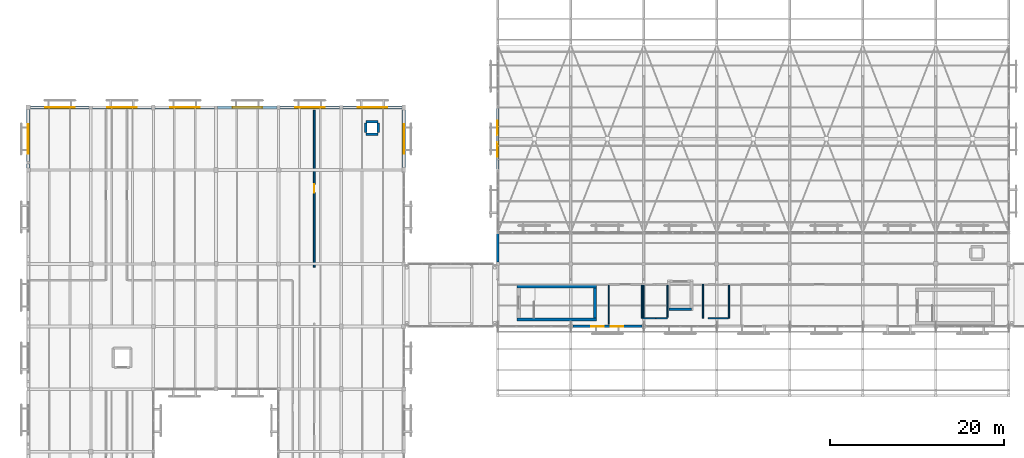
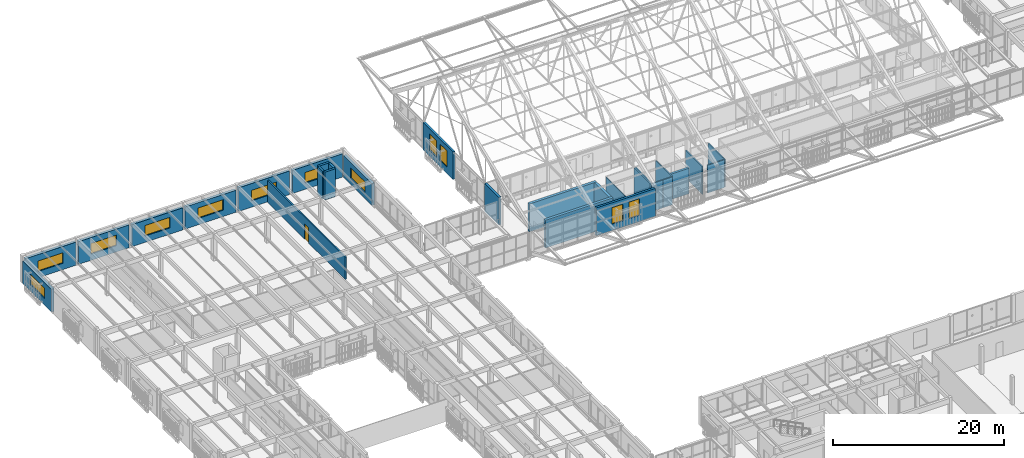
# One storey, part 181 of 217: 29 walls, 12 windows, 1 door, 13 openings.
"""IFC4 building model written with IfcOpenShell, lengths in metres."""

import ifcopenshell
import ifcopenshell.guid

model = None  # the IFC model being written
_history = None  # IfcOwnerHistory: only IFC2X3 demands one
_inside = {}  # id of a spatial element -> (the spatial element, [elements in it])
_under = {}  # id of a project, library or spatial element -> (it, [spatial elements below it])
_declared = {}  # id of a project -> (the project, [libraries it declares])
_typed = {}  # id of a type object -> (the type object, [elements of that type])
_made_of = {}  # id of a material, layer set ... -> (it, [elements and type objects made of it])


def new_model(schema):
    """Start an empty IFC model of exactly this schema.

    Asked for "IFC4X3", IfcOpenShell would pick the latest addendum, in which some entities
    have other attributes; the version numbers below select the first issue.
    IFC2X3 requires an IfcOwnerHistory on every rooted entity: one is made here for all.
    """
    global model, _history
    if schema == "IFC4X3":
        model = ifcopenshell.file(schema_version=(4, 3, 0, 0))
    else:
        model = ifcopenshell.file(schema=schema)
    _inside.clear()
    _under.clear()
    _declared.clear()
    _typed.clear()
    _made_of.clear()
    _history = None
    if model.schema == "IFC2X3":
        org = make("IfcOrganization", Name="unknown")
        user = make(
            "IfcPersonAndOrganization",
            ThePerson=make("IfcPerson", FamilyName="unknown"),
            TheOrganization=org,
        )
        app = make(
            "IfcApplication",
            ApplicationDeveloper=org,
            Version="unknown",
            ApplicationFullName="unknown",
            ApplicationIdentifier="unknown",
        )
        _history = make(
            "IfcOwnerHistory",
            OwningUser=user,
            OwningApplication=app,
            ChangeAction="ADDED",
            CreationDate=0,
        )
    return model


def make(cls, **values):
    """One entity of the class cls with the attributes given. An attribute that is None is left unset."""
    return model.create_entity(
        cls, **{name: value for name, value in values.items() if value is not None}
    )


def rooted(cls, **values):
    """An entity with a GlobalId (a new one), such as an element, a storey or a relation."""
    return make(cls, GlobalId=ifcopenshell.guid.new(), OwnerHistory=_history, **values)


def si_unit(unit_type, name, prefix=None):
    """IfcSIUnit, for example si_unit("LENGTHUNIT", "METRE", prefix="MILLI")."""
    return make("IfcSIUnit", UnitType=unit_type, Prefix=prefix, Name=name)


def assignment(units):
    """IfcUnitAssignment: the units of a project."""
    return None if units is None else make("IfcUnitAssignment", Units=units)


def point(xyz):
    """IfcCartesianPoint."""
    return None if xyz is None else make("IfcCartesianPoint", Coordinates=xyz)


def direction(xyz):
    """IfcDirection."""
    return None if xyz is None else make("IfcDirection", DirectionRatios=xyz)


def frame(location, z_axis=None, x_axis=None):
    """IfcAxis2Placement3D, a coordinate frame: its origin and axes. An axis left out is left unset."""
    return make(
        "IfcAxis2Placement3D",
        Location=point(location),
        Axis=direction(z_axis),
        RefDirection=direction(x_axis),
    )


def frame_2d(location, x_axis=None):
    """IfcAxis2Placement2D, a coordinate frame in the plane: its origin and x axis."""
    return make(
        "IfcAxis2Placement2D", Location=point(location), RefDirection=direction(x_axis)
    )


def origin():
    """The frame at (0, 0, 0) with its axes left unset."""
    return frame((0.0, 0.0, 0.0))


def place(relative_to, where):
    """IfcLocalPlacement: puts the frame where relative to a parent placement (None: the world)."""
    return make(
        "IfcLocalPlacement", PlacementRelTo=relative_to, RelativePlacement=where
    )


def context(
    kind, dimensions, precision=None, world=None, true_north=None, identifier=None
):
    """IfcGeometricRepresentationContext, for example the 3D "Model" context."""
    return make(
        "IfcGeometricRepresentationContext",
        ContextIdentifier=identifier,
        ContextType=kind,
        CoordinateSpaceDimension=dimensions,
        Precision=precision,
        WorldCoordinateSystem=world,
        TrueNorth=true_north,
    )


def subcontext(parent, identifier, kind, view, scale=None):
    """IfcGeometricRepresentationSubContext, for example "Body" below "Model"."""
    return make(
        "IfcGeometricRepresentationSubContext",
        ContextIdentifier=identifier,
        ContextType=kind,
        ParentContext=parent,
        TargetScale=scale,
        TargetView=view,
    )


def project(units=None, contexts=None):
    """IfcProject with its units and contexts."""
    return rooted(
        "IfcProject",
        Name="project",
        RepresentationContexts=contexts,
        UnitsInContext=assignment(units),
    )


def spatial(cls, under=None, at=None, **own):
    """A site, building, storey or space (cls), placed at a placement, below another one or the project."""
    s = rooted(cls, ObjectPlacement=at, **own)
    if under is not None:
        _under.setdefault(under.id(), (under, []))[1].append(s)
    return s


def profile(cls, at=None, kind="AREA", **sizes):
    """A parametric profile (cls). Its sizes go by their IFC names, for example OverallWidth=200.0."""
    return make(cls, ProfileType=kind, Position=at, **sizes)


def rectangle(**sizes):
    """IfcRectangleProfileDef."""
    return profile("IfcRectangleProfileDef", **sizes)


def extrude(swept, where, along, depth):
    """IfcExtrudedAreaSolid: the profile swept, set in the frame where, extruded along a direction by depth."""
    return make(
        "IfcExtrudedAreaSolid",
        SweptArea=swept,
        Position=where,
        ExtrudedDirection=direction(along),
        Depth=depth,
    )


def shape(context_of_items, identifier, shape_type, items):
    """IfcShapeRepresentation: the items that make up one representation, for example the "Body"."""
    return make(
        "IfcShapeRepresentation",
        ContextOfItems=context_of_items,
        RepresentationIdentifier=identifier,
        RepresentationType=shape_type,
        Items=items,
    )


def material(Name=None, Category=None):
    """IfcMaterial."""
    return make("IfcMaterial", Name=Name, Category=Category)


def layer(
    of_material, thickness, ventilated=None, Name=None, Category=None, Priority=None
):
    """IfcMaterialLayer: one layer of a wall or slab, of a material (None: an air gap)."""
    return make(
        "IfcMaterialLayer",
        Material=of_material,
        LayerThickness=thickness,
        IsVentilated=ventilated,
        Name=Name,
        Category=Category,
        Priority=Priority,
    )


def layer_set(layers, Name=None):
    """IfcMaterialLayerSet."""
    return make("IfcMaterialLayerSet", MaterialLayers=layers, LayerSetName=Name)


def made_of(thing, what):
    """Note that an element or type object is made of a material, layer set ...; save() writes the relation."""
    if what is not None:
        _made_of.setdefault(what.id(), (what, []))[1].append(thing)
    return thing


def type_object(cls, material=None, **own):
    """A type object (cls), such as IfcWallType, which elements share."""
    return made_of(rooted(cls, **own), material)


def element(
    cls,
    number,
    at=None,
    inside=None,
    cuts=None,
    type_object=None,
    material=None,
    context=None,
    identifier="Body",
    shape_type=None,
    held_by="IfcProductDefinitionShape",
    body=None,
    shapes=None,
    **own,
):
    """One element of the class cls, such as IfcWall. Its Tag is "e" and its number.

    at: its placement. inside: the storey or other place that contains it. cuts: it is an
    opening in that element (IfcRelVoidsElement). A single representation is given by context,
    identifier, shape_type and body (its items); several are given by shapes. held_by: the class
    of the entity that holds the representations. save() writes the other relations.
    """
    e = rooted(cls, Tag="e%d" % number, ObjectPlacement=at, **own)
    if body is not None:
        shapes = [shape(context, identifier, shape_type, body)]
    if shapes is not None:
        e.Representation = make(held_by, Representations=shapes)
    if inside is not None:
        _inside.setdefault(inside.id(), (inside, []))[1].append(e)
    if cuts is not None:
        rooted(
            "IfcRelVoidsElement", RelatingBuildingElement=cuts, RelatedOpeningElement=e
        )
    if type_object is not None:
        _typed.setdefault(type_object.id(), (type_object, []))[1].append(e)
    return made_of(e, material)


def fill(opening, filler):
    """IfcRelFillsElement: the door or window that sits in an opening."""
    return rooted(
        "IfcRelFillsElement",
        RelatingOpeningElement=opening,
        RelatedBuildingElement=filler,
    )


def aggregate(whole, parts):
    """IfcRelAggregates: a whole, such as a stair, and the parts it consists of."""
    return rooted("IfcRelAggregates", RelatingObject=whole, RelatedObjects=parts)


def save(model, path):
    """Write the relations noted so far, then the file.

    IfcRelAggregates (storeys below a building ...), IfcRelContainedInSpatialStructure (elements
    in a storey), IfcRelDefinesByType, IfcRelAssociatesMaterial and IfcRelDeclares: one each for
    every whole, place, type object, material and project.
    """
    for whole, parts in _under.values():
        aggregate(whole, parts)
    for where, things in _inside.values():
        rooted(
            "IfcRelContainedInSpatialStructure",
            RelatedElements=things,
            RelatingStructure=where,
        )
    for kind, things in _typed.values():
        rooted("IfcRelDefinesByType", RelatedObjects=things, RelatingType=kind)
    for what, things in _made_of.values():
        rooted("IfcRelAssociatesMaterial", RelatedObjects=things, RelatingMaterial=what)
    for by, libraries in _declared.values():
        rooted("IfcRelDeclares", RelatingContext=by, RelatedDefinitions=libraries)
    model.write(path)


model = new_model("IFC4")

# Units and contexts
model_context = context("Model", 3, precision=1e-05, world=origin(), true_north=direction((0.0, 1.0)))
body_context = subcontext(model_context, "Body", "Model", "MODEL_VIEW")
ifc_project = project(units=[si_unit("LENGTHUNIT", "METRE"), si_unit("AREAUNIT", "SQUARE_METRE"), si_unit("VOLUMEUNIT", "CUBIC_METRE"), si_unit("PLANEANGLEUNIT", "RADIAN"), si_unit("MASSUNIT", "GRAM", prefix="KILO")], contexts=[model_context])

# Site, building, storey
site_placement = place(None, origin())
site = spatial("IfcSite", under=ifc_project, at=site_placement, CompositionType="ELEMENT")
building_placement = place(site_placement, origin())
building = spatial("IfcBuilding", under=site, at=building_placement, Name="Mazaris Harbour Polytechnic", CompositionType="ELEMENT")
storey_placement = place(building_placement, frame((0.0, 0.0, 9.60009765625)))
storey = spatial("IfcBuildingStorey", under=building, at=storey_placement, Name="L02", CompositionType="ELEMENT", Elevation=9.60009765625)

# Wall
ifc_material_1 = material(Name="Double Gypsum and Mineral Wool")
ifc_layer_1 = layer(ifc_material_1, 0.14990234375, Name="Double Gypsum and Mineral Wool")
ifc_layer_set_1 = layer_set([ifc_layer_1], Name="Double Gypsum and Mineral Wool")
wall_type_1 = type_object("IfcWallType", Name="Classroom Acoustic Partition 150", PredefinedType="PARTITIONING", material=ifc_layer_set_1)
wall_1_placement = place(storey_placement, frame((70.760009765625, 76.632568359375, 0.0), z_axis=(0.0, 0.0, 1.0), x_axis=(0.0, 1.0, 0.0)))
element("IfcWall", 1, at=wall_1_placement, inside=storey, type_object=wall_type_1, Name="V1 L02 Partition 67", PredefinedType="PARTITIONING", context=body_context, shape_type="SweptSolid", body=[
    extrude(rectangle(XDim=3.697509765625, YDim=0.14990234375, at=frame_2d((1.8486328125, 0.0))), origin(), (0.0, 0.0, 1.0), 3.9599609375),
])

# Wall, opening, door
ifc_material_2 = material(Name="Terracotta Block and Plaster", Category="masonry")
ifc_layer_2 = layer(ifc_material_2, 0.179931640625, Name="Terracotta Block and Plaster")
ifc_layer_set_2 = layer_set([ifc_layer_2], Name="Terracotta Block and Plaster")
wall_type_2 = type_object("IfcWallType", Name="Corridor Fire Partition 180", PredefinedType="PARTITIONING", material=ifc_layer_set_2)
wall_2_placement = place(storey_placement, frame((32.89990234375, 82.419921875, 0.0), z_axis=(0.0, 0.0, 1.0), x_axis=(0.0, 1.0, 0.0)))
wall_2 = element("IfcWall", 2, at=wall_2_placement, inside=storey, type_object=wall_type_2, Name="V4 L02 Partition 397", PredefinedType="PARTITIONING", context=body_context, shape_type="SweptSolid", body=[
    extrude(rectangle(XDim=18.080078125, YDim=0.179931640625, at=frame_2d((9.0400390625, 0.0))), origin(), (0.0, 0.0, 1.0), 3.14990234375),
])
opening_1_placement = place(wall_2_placement, frame((8.56494140625, 0.0, 0.0)))
opening_1 = element("IfcOpeningElement", 3, at=opening_1_placement, cuts=wall_2, Name="Opening ID-01L", PredefinedType="OPENING", context=body_context, shape_type="SweptSolid", body=[
    extrude(rectangle(XDim=0.949951171875, YDim=2.14990234375, at=frame_2d((0.47509765625, 1.074951171875))), frame((0.0, 0.099853515625, 0.0), z_axis=(0.0, -1.0, 0.0), x_axis=(1.0, 0.0, 0.0)), (0.0, 0.0, 1.0), 0.199951171875),
])
ifc_material_3 = material(Name="Solid Oak Timber", Category="wood")
door_type = type_object("IfcDoorType", Name="Classroom Single Door LH 950x2150", OperationType="SINGLE_SWING_LEFT", PredefinedType="DOOR", material=ifc_material_3)
door_placement = place(opening_1_placement, origin())
door = element("IfcDoor", 4, at=door_placement, inside=storey, type_object=door_type, Name="ID-0188", OperationType="SINGLE_SWING_LEFT", OverallHeight=2.14990234375, OverallWidth=0.949951171875, PredefinedType="DOOR", context=body_context, shape_type="SweptSolid", body=[
    extrude(rectangle(XDim=0.949951171875, YDim=2.14990234375, at=frame_2d((0.47509765625, 1.074951171875))), frame((0.0, 0.02490234375, 0.0), z_axis=(0.0, -1.0, 0.0), x_axis=(1.0, 0.0, 0.0)), (0.0, 0.0, 1.0), 0.050048828125),
])
fill(opening_1, door)

# Wall, opening, window
ifc_material_4 = material(Name="Algerian Buff Limestone and Concrete C30/37", Category="masonry")
ifc_layer_3 = layer(ifc_material_4, 0.360107421875, Name="Algerian Buff Limestone and Concrete C30/37")
ifc_layer_set_3 = layer_set([ifc_layer_3], Name="Algerian Buff Limestone and Concrete C30/37")
wall_type_3 = type_object("IfcWallType", Name="Limestone Ashlar Exterior Wall 360", PredefinedType="STANDARD", material=ifc_layer_set_3)
wall_3_placement = place(storey_placement, frame((0.241943359375, 100.800048828125, 0.0), z_axis=(0.0, 0.0, 1.0), x_axis=(1.0, 0.0, 0.0)))
wall_3 = element("IfcWall", 5, at=wall_3_placement, inside=storey, type_object=wall_type_3, Name="V4 L02 Exterior Wall 193", PredefinedType="STANDARD", context=body_context, shape_type="SweptSolid", body=[
    extrude(rectangle(XDim=6.776123046875, YDim=0.360107421875, at=frame_2d((3.38818359375, 0.0))), origin(), (0.0, 0.0, 1.0), 3.309814453125),
])
opening_2_placement = place(wall_3_placement, frame((1.68798828125, 0.0, 0.89990234375)))
opening_2 = element("IfcOpeningElement", 6, at=opening_2_placement, cuts=wall_3, Name="Opening WN-16", PredefinedType="OPENING", context=body_context, shape_type="SweptSolid", body=[
    extrude(rectangle(XDim=3.39990234375, YDim=1.5, at=frame_2d((1.699951171875, 0.75))), frame((0.0, 0.18994140625, 0.0), z_axis=(0.0, -1.0, 0.0), x_axis=(1.0, 0.0, 0.0)), (0.0, 0.0, 1.0), 0.380126953125),
])
ifc_material_5 = material(Name="Thermally Broken Bronze Aluminium and Low-E Glass", Category="aluminium")
window_type_1 = type_object("IfcWindowType", Name="Workshop Clerestory Ribbon 3400x1500", PartitioningType="DOUBLE_PANEL_VERTICAL", PredefinedType="WINDOW", material=ifc_material_5)
window_1_placement = place(opening_2_placement, origin())
window_1 = element("IfcWindow", 7, at=window_1_placement, inside=storey, type_object=window_type_1, Name="WN-0195", OverallHeight=1.5, OverallWidth=3.39990234375, PartitioningType="DOUBLE_PANEL_VERTICAL", PredefinedType="WINDOW", context=body_context, shape_type="SweptSolid", body=[
    extrude(rectangle(XDim=3.39990234375, YDim=1.5, at=frame_2d((1.699951171875, 0.75))), frame((0.0, 0.030029296875, 0.0), z_axis=(0.0, -1.0, 0.0), x_axis=(1.0, 0.0, 0.0)), (0.0, 0.0, 1.0), 0.06005859375),
])
fill(opening_2, window_1)

wall_4_placement = place(storey_placement, frame((7.382080078125, 100.800048828125, 0.0), z_axis=(0.0, 0.0, 1.0), x_axis=(1.0, 0.0, 0.0)))
wall_4 = element("IfcWall", 8, at=wall_4_placement, inside=storey, type_object=wall_type_3, Name="V4 L02 Exterior Wall 194", PredefinedType="STANDARD", context=body_context, shape_type="SweptSolid", body=[
    extrude(rectangle(XDim=6.825927734375, YDim=0.360107421875, at=frame_2d((3.4130859375, 0.0))), origin(), (0.0, 0.0, 1.0), 3.25),
])
opening_3_placement = place(wall_4_placement, frame((1.712890625, 0.0, 0.89990234375)))
opening_3 = element("IfcOpeningElement", 9, at=opening_3_placement, cuts=wall_4, Name="Opening WN-16", PredefinedType="OPENING", context=body_context, shape_type="SweptSolid", body=[
    extrude(rectangle(XDim=3.39990234375, YDim=1.5, at=frame_2d((1.699951171875, 0.75))), frame((0.0, 0.18994140625, 0.0), z_axis=(0.0, -1.0, 0.0), x_axis=(1.0, 0.0, 0.0)), (0.0, 0.0, 1.0), 0.380126953125),
])
window_2_placement = place(opening_3_placement, origin())
window_2 = element("IfcWindow", 10, at=window_2_placement, inside=storey, type_object=window_type_1, Name="WN-0196", OverallHeight=1.5, OverallWidth=3.39990234375, PartitioningType="DOUBLE_PANEL_VERTICAL", PredefinedType="WINDOW", context=body_context, shape_type="SweptSolid", body=[
    extrude(rectangle(XDim=3.39990234375, YDim=1.5, at=frame_2d((1.699951171875, 0.75))), frame((0.0, 0.030029296875, 0.0), z_axis=(0.0, -1.0, 0.0), x_axis=(1.0, 0.0, 0.0)), (0.0, 0.0, 1.0), 0.06005859375),
])
fill(opening_3, window_2)

wall_5_placement = place(storey_placement, frame((14.592041015625, 100.800048828125, 0.0), z_axis=(0.0, 0.0, 1.0), x_axis=(1.0, 0.0, 0.0)))
wall_5 = element("IfcWall", 11, at=wall_5_placement, inside=storey, type_object=wall_type_3, Name="V4 L02 Exterior Wall 195", PredefinedType="STANDARD", context=body_context, shape_type="SweptSolid", body=[
    extrude(rectangle(XDim=6.845947265625, YDim=0.360107421875, at=frame_2d((3.4228515625, 0.0))), origin(), (0.0, 0.0, 1.0), 3.14990234375),
])
opening_4_placement = place(wall_5_placement, frame((1.722900390625, 0.0, 0.89990234375)))
opening_4 = element("IfcOpeningElement", 12, at=opening_4_placement, cuts=wall_5, Name="Opening WN-16", PredefinedType="OPENING", context=body_context, shape_type="SweptSolid", body=[
    extrude(rectangle(XDim=3.39990234375, YDim=1.5, at=frame_2d((1.699951171875, 0.75))), frame((0.0, 0.18994140625, 0.0), z_axis=(0.0, -1.0, 0.0), x_axis=(1.0, 0.0, 0.0)), (0.0, 0.0, 1.0), 0.380126953125),
])
window_3_placement = place(opening_4_placement, origin())
window_3 = element("IfcWindow", 13, at=window_3_placement, inside=storey, type_object=window_type_1, Name="WN-0197", OverallHeight=1.5, OverallWidth=3.39990234375, PartitioningType="DOUBLE_PANEL_VERTICAL", PredefinedType="WINDOW", context=body_context, shape_type="SweptSolid", body=[
    extrude(rectangle(XDim=3.39990234375, YDim=1.5, at=frame_2d((1.699951171875, 0.75))), frame((0.0, 0.030029296875, 0.0), z_axis=(0.0, -1.0, 0.0), x_axis=(1.0, 0.0, 0.0)), (0.0, 0.0, 1.0), 0.06005859375),
])
fill(opening_4, window_3)

wall_6_placement = place(storey_placement, frame((21.761962890625, 100.800048828125, 0.0), z_axis=(0.0, 0.0, 1.0), x_axis=(1.0, 0.0, 0.0)))
wall_6 = element("IfcWall", 14, at=wall_6_placement, inside=storey, type_object=wall_type_3, Name="V4 L02 Exterior Wall 196", PredefinedType="STANDARD", context=body_context, shape_type="SweptSolid", body=[
    extrude(rectangle(XDim=6.865966796875, YDim=0.360107421875, at=frame_2d((3.43310546875, 0.0))), origin(), (0.0, 0.0, 1.0), 3.14990234375),
])
opening_5_placement = place(wall_6_placement, frame((1.73291015625, 0.0, 0.89990234375)))
opening_5 = element("IfcOpeningElement", 15, at=opening_5_placement, cuts=wall_6, Name="Opening WN-16", PredefinedType="OPENING", context=body_context, shape_type="SweptSolid", body=[
    extrude(rectangle(XDim=3.39990234375, YDim=1.5, at=frame_2d((1.699951171875, 0.75))), frame((0.0, 0.18994140625, 0.0), z_axis=(0.0, -1.0, 0.0), x_axis=(1.0, 0.0, 0.0)), (0.0, 0.0, 1.0), 0.380126953125),
])
window_4_placement = place(opening_5_placement, origin())
window_4 = element("IfcWindow", 16, at=window_4_placement, inside=storey, type_object=window_type_1, Name="WN-0198", OverallHeight=1.5, OverallWidth=3.39990234375, PartitioningType="DOUBLE_PANEL_VERTICAL", PredefinedType="WINDOW", context=body_context, shape_type="SweptSolid", body=[
    extrude(rectangle(XDim=3.39990234375, YDim=1.5, at=frame_2d((1.699951171875, 0.75))), frame((0.0, 0.030029296875, 0.0), z_axis=(0.0, -1.0, 0.0), x_axis=(1.0, 0.0, 0.0)), (0.0, 0.0, 1.0), 0.06005859375),
])
fill(opening_5, window_4)

wall_7_placement = place(storey_placement, frame((28.971923828125, 100.800048828125, 0.0), z_axis=(0.0, 0.0, 1.0), x_axis=(1.0, 0.0, 0.0)))
wall_7 = element("IfcWall", 17, at=wall_7_placement, inside=storey, type_object=wall_type_3, Name="V4 L02 Exterior Wall 197", PredefinedType="STANDARD", context=body_context, shape_type="SweptSolid", body=[
    extrude(rectangle(XDim=6.826171875, YDim=0.360107421875, at=frame_2d((3.4130859375, 0.0))), origin(), (0.0, 0.0, 1.0), 3.369873046875),
])
opening_6_placement = place(wall_7_placement, frame((1.712890625, 0.0, 0.89990234375)))
opening_6 = element("IfcOpeningElement", 18, at=opening_6_placement, cuts=wall_7, Name="Opening WN-16", PredefinedType="OPENING", context=body_context, shape_type="SweptSolid", body=[
    extrude(rectangle(XDim=3.39990234375, YDim=1.5, at=frame_2d((1.699951171875, 0.75))), frame((0.0, 0.18994140625, 0.0), z_axis=(0.0, -1.0, 0.0), x_axis=(1.0, 0.0, 0.0)), (0.0, 0.0, 1.0), 0.380126953125),
])
window_5_placement = place(opening_6_placement, origin())
window_5 = element("IfcWindow", 19, at=window_5_placement, inside=storey, type_object=window_type_1, Name="WN-0199", OverallHeight=1.5, OverallWidth=3.39990234375, PartitioningType="DOUBLE_PANEL_VERTICAL", PredefinedType="WINDOW", context=body_context, shape_type="SweptSolid", body=[
    extrude(rectangle(XDim=3.39990234375, YDim=1.5, at=frame_2d((1.699951171875, 0.75))), frame((0.0, 0.030029296875, 0.0), z_axis=(0.0, -1.0, 0.0), x_axis=(1.0, 0.0, 0.0)), (0.0, 0.0, 1.0), 0.06005859375),
])
fill(opening_6, window_5)

wall_8_placement = place(storey_placement, frame((36.201904296875, 100.800048828125, 0.0), z_axis=(0.0, 0.0, 1.0), x_axis=(1.0, 0.0, 0.0)))
wall_8 = element("IfcWall", 20, at=wall_8_placement, inside=storey, type_object=wall_type_3, Name="V4 L02 Exterior Wall 198", PredefinedType="STANDARD", context=body_context, shape_type="SweptSolid", body=[
    extrude(rectangle(XDim=6.7861328125, YDim=0.360107421875, at=frame_2d((3.39306640625, 0.0))), origin(), (0.0, 0.0, 1.0), 3.309814453125),
])
opening_7_placement = place(wall_8_placement, frame((1.693115234375, 0.0, 0.89990234375)))
opening_7 = element("IfcOpeningElement", 21, at=opening_7_placement, cuts=wall_8, Name="Opening WN-16", PredefinedType="OPENING", context=body_context, shape_type="SweptSolid", body=[
    extrude(rectangle(XDim=3.39990234375, YDim=1.5, at=frame_2d((1.699951171875, 0.75))), frame((0.0, 0.18994140625, 0.0), z_axis=(0.0, -1.0, 0.0), x_axis=(1.0, 0.0, 0.0)), (0.0, 0.0, 1.0), 0.380126953125),
])
window_6_placement = place(opening_7_placement, origin())
window_6 = element("IfcWindow", 22, at=window_6_placement, inside=storey, type_object=window_type_1, Name="WN-0200", OverallHeight=1.5, OverallWidth=3.39990234375, PartitioningType="DOUBLE_PANEL_VERTICAL", PredefinedType="WINDOW", context=body_context, shape_type="SweptSolid", body=[
    extrude(rectangle(XDim=3.39990234375, YDim=1.5, at=frame_2d((1.699951171875, 0.75))), frame((0.0, 0.030029296875, 0.0), z_axis=(0.0, -1.0, 0.0), x_axis=(1.0, 0.0, 0.0)), (0.0, 0.0, 1.0), 0.06005859375),
])
fill(opening_7, window_6)

wall_9_placement = place(storey_placement, frame((0.0, 93.822021484375, 0.0), z_axis=(0.0, 0.0, 1.0), x_axis=(0.0, 1.0, 0.0)))
wall_9 = element("IfcWall", 23, at=wall_9_placement, inside=storey, type_object=wall_type_3, Name="V4 L02 Exterior Wall 210", PredefinedType="STANDARD", context=body_context, shape_type="SweptSolid", body=[
    extrude(rectangle(XDim=6.736083984375, YDim=0.360107421875, at=frame_2d((3.3681640625, 0.0))), origin(), (0.0, 0.0, 1.0), 3.2099609375),
])
opening_8_placement = place(wall_9_placement, frame((1.66796875, 0.0, 0.89990234375)))
opening_8 = element("IfcOpeningElement", 24, at=opening_8_placement, cuts=wall_9, Name="Opening WN-16", PredefinedType="OPENING", context=body_context, shape_type="SweptSolid", body=[
    extrude(rectangle(XDim=3.39990234375, YDim=1.5, at=frame_2d((1.699951171875, 0.75))), frame((0.0, 0.18994140625, 0.0), z_axis=(0.0, -1.0, 0.0), x_axis=(1.0, 0.0, 0.0)), (0.0, 0.0, 1.0), 0.380126953125),
])
window_7_placement = place(opening_8_placement, origin())
window_7 = element("IfcWindow", 25, at=window_7_placement, inside=storey, type_object=window_type_1, Name="WN-0212", OverallHeight=1.5, OverallWidth=3.39990234375, PartitioningType="DOUBLE_PANEL_VERTICAL", PredefinedType="WINDOW", context=body_context, shape_type="SweptSolid", body=[
    extrude(rectangle(XDim=3.39990234375, YDim=1.5, at=frame_2d((1.699951171875, 0.75))), frame((0.0, 0.030029296875, 0.0), z_axis=(0.0, -1.0, 0.0), x_axis=(1.0, 0.0, 0.0)), (0.0, 0.0, 1.0), 0.06005859375),
])
fill(opening_8, window_7)

wall_10_placement = place(storey_placement, frame((43.199951171875, 100.508056640625, 0.0), z_axis=(0.0, 0.0, 1.0), x_axis=(0.0, -1.0, 0.0)))
wall_10 = element("IfcWall", 26, at=wall_10_placement, inside=storey, type_object=wall_type_3, Name="V4 L02 Exterior Wall 215", PredefinedType="STANDARD", context=body_context, shape_type="SweptSolid", body=[
    extrude(rectangle(XDim=6.64599609375, YDim=0.360107421875, at=frame_2d((3.322998046875, 0.0))), origin(), (0.0, 0.0, 1.0), 3.14990234375),
])
opening_9_placement = place(wall_10_placement, frame((1.623046875, 0.0, 0.89990234375)))
opening_9 = element("IfcOpeningElement", 27, at=opening_9_placement, cuts=wall_10, Name="Opening WN-16", PredefinedType="OPENING", context=body_context, shape_type="SweptSolid", body=[
    extrude(rectangle(XDim=3.39990234375, YDim=1.5, at=frame_2d((1.699951171875, 0.75))), frame((0.0, 0.18994140625, 0.0), z_axis=(0.0, -1.0, 0.0), x_axis=(1.0, 0.0, 0.0)), (0.0, 0.0, 1.0), 0.380126953125),
])
window_8_placement = place(opening_9_placement, origin())
window_8 = element("IfcWindow", 28, at=window_8_placement, inside=storey, type_object=window_type_1, Name="WN-0217", OverallHeight=1.5, OverallWidth=3.39990234375, PartitioningType="DOUBLE_PANEL_VERTICAL", PredefinedType="WINDOW", context=body_context, shape_type="SweptSolid", body=[
    extrude(rectangle(XDim=3.39990234375, YDim=1.5, at=frame_2d((1.699951171875, 0.75))), frame((0.0, 0.030029296875, 0.0), z_axis=(0.0, -1.0, 0.0), x_axis=(1.0, 0.0, 0.0)), (0.0, 0.0, 1.0), 0.06005859375),
])
fill(opening_9, window_8)

# Walls
ifc_material_6 = material(Name="Concrete C40/50", Category="concrete")
ifc_layer_4 = layer(ifc_material_6, 0.35009765625, Name="Concrete C40/50")
ifc_layer_set_4 = layer_set([ifc_layer_4], Name="Concrete C40/50")
wall_type_4 = type_object("IfcWallType", Name="RC Core Shear Wall 350", PredefinedType="SHEAR", material=ifc_layer_set_4)
for number, where, z_axis, x_axis, name in (
    (29, (56.25, 76.425048828125, 0.0), (0.0, 0.0, 1.0), (1.0, 0.0, 0.0), "Core ST01 L02 Shear Wall S"),
    (30, (65.35009765625, 80.22509765625, 0.0), (0.0, 0.0, 1.0), (-1.0, 0.0, 0.0), "Core ST01 L02 Shear Wall N"),
):
    element("IfcWall", number, at=place(storey_placement, frame(where, z_axis=z_axis, x_axis=x_axis)), inside=storey, type_object=wall_type_4, Name=name, PredefinedType="SHEAR", context=body_context, shape_type="SweptSolid", body=[
        extrude(rectangle(XDim=9.10009765625, YDim=0.35009765625, at=frame_2d((4.550048828125, 0.0))), origin(), (0.0, 0.0, 1.0), 3.9599609375),
    ])
wall_11_placement = place(storey_placement, frame((65.175048828125, 76.60009765625, 0.0), z_axis=(0.0, 0.0, 1.0), x_axis=(0.0, 1.0, 0.0)))
element("IfcWall", 31, at=wall_11_placement, inside=storey, type_object=wall_type_4, Name="Core ST01 L02 Shear Wall E", PredefinedType="SHEAR", context=body_context, shape_type="SweptSolid", body=[
    extrude(rectangle(XDim=3.449951171875, YDim=0.35009765625, at=frame_2d((1.72509765625, 0.0))), origin(), (0.0, 0.0, 1.0), 3.9599609375),
])
ifc_material_7 = material(Name="Concrete C40/50", Category="concrete")
ifc_layer_5 = layer(ifc_material_7, 0.300048828125, Name="Concrete C40/50")
ifc_layer_set_5 = layer_set([ifc_layer_5], Name="Concrete C40/50")
wall_type_5 = type_object("IfcWallType", Name="RC Lift Shaft Wall 300", PredefinedType="SHEAR", material=ifc_layer_set_5)
wall_12_placement = place(storey_placement, frame((38.830078125, 97.72998046875, 0.0), z_axis=(0.0, 0.0, 1.0), x_axis=(1.0, 0.0, 0.0)))
element("IfcWall", 32, at=wall_12_placement, inside=storey, type_object=wall_type_5, Name="V4 L02 Riser Enclosure Wall 2-1", PredefinedType="SHEAR", context=body_context, shape_type="SweptSolid", body=[
    extrude(rectangle(XDim=1.419921875, YDim=0.300048828125, at=frame_2d((0.7099609375, 0.0))), origin(), (0.0, 0.0, 1.0), 3.9599609375),
])
wall_13_placement = place(storey_placement, frame((40.25, 97.889892578125, 0.0), z_axis=(0.0, 0.0, 1.0), x_axis=(0.0, 1.0, 0.0)))
element("IfcWall", 33, at=wall_13_placement, inside=storey, type_object=wall_type_5, Name="V4 L02 Riser Enclosure Wall 2-2", PredefinedType="SHEAR", context=body_context, shape_type="SweptSolid", body=[
    extrude(rectangle(XDim=1.10009765625, YDim=0.300048828125, at=frame_2d((0.550048828125, 0.0))), origin(), (0.0, 0.0, 1.0), 3.9599609375),
])
wall_14_placement = place(storey_placement, frame((40.25, 99.14990234375, 0.0), z_axis=(0.0, 0.0, 1.0), x_axis=(-1.0, 0.0, 0.0)))
element("IfcWall", 34, at=wall_14_placement, inside=storey, type_object=wall_type_5, Name="V4 L02 Riser Enclosure Wall 2-3", PredefinedType="SHEAR", context=body_context, shape_type="SweptSolid", body=[
    extrude(rectangle(XDim=1.419921875, YDim=0.300048828125, at=frame_2d((0.7099609375, 0.0))), origin(), (0.0, 0.0, 1.0), 3.9599609375),
])
wall_15_placement = place(storey_placement, frame((38.830078125, 98.989990234375, 0.0), z_axis=(0.0, 0.0, 1.0), x_axis=(0.0, -1.0, 0.0)))
element("IfcWall", 35, at=wall_15_placement, inside=storey, type_object=wall_type_5, Name="V4 L02 Riser Enclosure Wall 2-4", PredefinedType="SHEAR", context=body_context, shape_type="SweptSolid", body=[
    extrude(rectangle(XDim=1.10009765625, YDim=0.300048828125, at=frame_2d((0.550048828125, 0.0))), origin(), (0.0, 0.0, 1.0), 3.9599609375),
])
wall_16_placement = place(storey_placement, frame((73.699951171875, 77.60009765625, 0.0), z_axis=(0.0, 0.0, 1.0), x_axis=(1.0, 0.0, 0.0)))
element("IfcWall", 36, at=wall_16_placement, inside=storey, type_object=wall_type_5, Name="Lift LG-01 L02 South Shaft Wall", PredefinedType="SHEAR", context=body_context, shape_type="SweptSolid", body=[
    extrude(rectangle(XDim=2.60009765625, YDim=0.300048828125, at=frame_2d((1.300048828125, 0.0))), origin(), (0.0, 0.0, 1.0), 3.639892578125),
])
ifc_material_8 = material(Name="Moisture-Resistant Gypsum and Steel Stud", Category="steel")
ifc_layer_6 = layer(ifc_material_8, 0.14501953125, Name="Moisture-Resistant Gypsum and Steel Stud")
ifc_layer_set_6 = layer_set([ifc_layer_6], Name="Moisture-Resistant Gypsum and Steel Stud")
wall_type_6 = type_object("IfcWallType", Name="Sanitary Plumbing Wall 145", PredefinedType="PLUMBINGWALL", material=ifc_layer_set_6)
wall_17_placement = place(storey_placement, frame((70.60009765625, 76.550048828125, 0.0), z_axis=(0.0, 0.0, 1.0), x_axis=(0.0, 1.0, 0.0)))
element("IfcWall", 37, at=wall_17_placement, inside=storey, type_object=wall_type_6, Name="V1 L02 Partition 60", PredefinedType="PLUMBINGWALL", context=body_context, shape_type="SweptSolid", body=[
    extrude(rectangle(XDim=3.780029296875, YDim=0.14501953125, at=frame_2d((1.89013671875, 0.0))), origin(), (0.0, 0.0, 1.0), 3.9599609375),
])
wall_18_placement = place(storey_placement, frame((70.6826171875, 76.550048828125, 0.0), z_axis=(0.0, 0.0, 1.0), x_axis=(1.0, 0.0, 0.0)))
element("IfcWall", 38, at=wall_18_placement, inside=storey, type_object=wall_type_6, Name="V1 L02 Partition 61", PredefinedType="PLUMBINGWALL", context=body_context, shape_type="SweptSolid", body=[
    extrude(rectangle(XDim=1.512451171875, YDim=0.14501953125, at=frame_2d((0.75634765625, 0.0))), origin(), (0.0, 0.0, 1.0), 3.9599609375),
])
wall_19_placement = place(storey_placement, frame((80.60009765625, 76.550048828125, 0.0), z_axis=(0.0, 0.0, 1.0), x_axis=(0.0, 1.0, 0.0)))
element("IfcWall", 39, at=wall_19_placement, inside=storey, type_object=wall_type_6, Name="V1 L02 Partition 63", PredefinedType="PLUMBINGWALL", context=body_context, shape_type="SweptSolid", body=[
    extrude(rectangle(XDim=3.780029296875, YDim=0.14501953125, at=frame_2d((1.89013671875, 0.0))), origin(), (0.0, 0.0, 1.0), 3.9599609375),
])
wall_20_placement = place(storey_placement, frame((78.205078125, 76.550048828125, 0.0), z_axis=(0.0, 0.0, 1.0), x_axis=(1.0, 0.0, 0.0)))
element("IfcWall", 40, at=wall_20_placement, inside=storey, type_object=wall_type_6, Name="V1 L02 Partition 64", PredefinedType="PLUMBINGWALL", context=body_context, shape_type="SweptSolid", body=[
    extrude(rectangle(XDim=2.3125, YDim=0.14501953125, at=frame_2d((1.15625, 0.0))), origin(), (0.0, 0.0, 1.0), 3.9599609375),
])
wall_21_placement = place(storey_placement, frame((72.195068359375, 76.554931640625, 0.0), z_axis=(0.0, 0.0, 1.0), x_axis=(1.0, 0.0, 0.0)))
element("IfcWall", 41, at=wall_21_placement, inside=storey, type_object=wall_type_6, Name="V1 L02 Sanitary Partition 700", PredefinedType="PLUMBINGWALL", context=body_context, shape_type="SweptSolid", body=[
    extrude(rectangle(XDim=1.329833984375, YDim=0.14501953125, at=frame_2d((0.6650390625, 0.0))), origin(), (0.0, 0.0, 1.0), 3.9599609375),
])
wall_22_placement = place(storey_placement, frame((73.52490234375, 76.637451171875, 0.0), z_axis=(0.0, 0.0, 1.0), x_axis=(0.0, 1.0, 0.0)))
element("IfcWall", 42, at=wall_22_placement, inside=storey, type_object=wall_type_6, Name="V1 L02 Sanitary Partition 702", PredefinedType="PLUMBINGWALL", context=body_context, shape_type="SweptSolid", body=[
    extrude(rectangle(XDim=3.72509765625, YDim=0.14501953125, at=frame_2d((1.862548828125, 0.0))), origin(), (0.0, 0.0, 1.0), 3.9599609375),
])
wall_23_placement = place(storey_placement, frame((77.60498046875, 76.554931640625, 0.0), z_axis=(0.0, 0.0, 1.0), x_axis=(0.0, 1.0, 0.0)))
element("IfcWall", 43, at=wall_23_placement, inside=storey, type_object=wall_type_6, Name="V1 L02 Sanitary Partition 703", PredefinedType="PLUMBINGWALL", context=body_context, shape_type="SweptSolid", body=[
    extrude(rectangle(XDim=3.89013671875, YDim=0.14501953125, at=frame_2d((1.945068359375, 0.0))), origin(), (0.0, 0.0, 1.0), 3.9599609375),
])
ifc_material_9 = material(Name="Gypsum Board and Mineral Wool")
ifc_layer_7 = layer(ifc_material_9, 0.135009765625, Name="Gypsum Board and Mineral Wool")
ifc_layer_set_7 = layer_set([ifc_layer_7], Name="Gypsum Board and Mineral Wool")
wall_type_7 = type_object("IfcWallType", Name="Studio Partition Wall 135", PredefinedType="PARTITIONING", material=ifc_layer_set_7)
wall_24_placement = place(storey_placement, frame((66.7890625, 75.85009765625, 0.0), z_axis=(0.0, 0.0, 1.0), x_axis=(0.0, 1.0, 0.0)))
element("IfcWall", 44, at=wall_24_placement, inside=storey, type_object=wall_type_7, Name="V1 L02 Partition 66", PredefinedType="PARTITIONING", context=body_context, shape_type="SweptSolid", body=[
    extrude(rectangle(XDim=4.47998046875, YDim=0.135009765625, at=frame_2d((2.239990234375, 0.0))), origin(), (0.0, 0.0, 1.0), 3.9599609375),
])

# Wall, openings, windows
ifc_material_10 = material(Name="Terracotta Masonry and Concrete C30/37", Category="masonry")
ifc_layer_8 = layer(ifc_material_10, 0.2900390625, Name="Terracotta Masonry and Concrete C30/37")
ifc_layer_set_8 = layer_set([ifc_layer_8], Name="Terracotta Masonry and Concrete C30/37")
wall_type_8 = type_object("IfcWallType", Name="Workshop Insulated Wall 290", PredefinedType="STANDARD", material=ifc_layer_set_8)
wall_25_placement = place(storey_placement, frame((70.587890625, 75.60009765625, 0.0), z_axis=(0.0, 0.0, 1.0), x_axis=(-1.0, 0.0, 0.0)))
wall_25 = element("IfcWall", 45, at=wall_25_placement, inside=storey, type_object=wall_type_8, Name="V1 L02 Exterior Wall 25", PredefinedType="STANDARD", context=body_context, shape_type="SweptSolid", body=[
    extrude(rectangle(XDim=7.94580078125, YDim=0.2900390625, at=frame_2d((3.972900390625, 0.0))), origin(), (0.0, 0.0, 1.0), 3.9599609375),
])
opening_10_placement = place(wall_25_placement, frame((2.123046875, 0.0, 0.89990234375)))
opening_10 = element("IfcOpeningElement", 46, at=opening_10_placement, cuts=wall_25, Name="Opening WN-19", PredefinedType="OPENING", context=body_context, shape_type="SweptSolid", body=[
    extrude(rectangle(XDim=1.449951171875, YDim=2.35009765625, at=frame_2d((0.72509765625, 1.175048828125))), frame((0.0, 0.155029296875, 0.0), z_axis=(0.0, -1.0, 0.0), x_axis=(1.0, 0.0, 0.0)), (0.0, 0.0, 1.0), 0.31005859375),
])
opening_11_placement = place(wall_25_placement, frame((4.373046875, 0.0, 0.89990234375)))
opening_11 = element("IfcOpeningElement", 47, at=opening_11_placement, cuts=wall_25, Name="Opening WN-19", PredefinedType="OPENING", context=body_context, shape_type="SweptSolid", body=[
    extrude(rectangle(XDim=1.449951171875, YDim=2.35009765625, at=frame_2d((0.72509765625, 1.175048828125))), frame((0.0, 0.155029296875, 0.0), z_axis=(0.0, -1.0, 0.0), x_axis=(1.0, 0.0, 0.0)), (0.0, 0.0, 1.0), 0.31005859375),
])
ifc_material_11 = material(Name="Thermally Broken Bronze Aluminium and Low-E Glass", Category="aluminium")
window_type_2 = type_object("IfcWindowType", Name="Courtyard Gallery Window 1450x2350", PartitioningType="DOUBLE_PANEL_VERTICAL", PredefinedType="WINDOW", material=ifc_material_11)
window_9_placement = place(opening_10_placement, origin())
window_9 = element("IfcWindow", 48, at=window_9_placement, inside=storey, type_object=window_type_2, Name="WN-0013", OverallHeight=2.35009765625, OverallWidth=1.449951171875, PartitioningType="DOUBLE_PANEL_VERTICAL", PredefinedType="WINDOW", context=body_context, shape_type="SweptSolid", body=[
    extrude(rectangle(XDim=1.449951171875, YDim=2.35009765625, at=frame_2d((0.72509765625, 1.175048828125))), frame((0.0, 0.030029296875, 0.0), z_axis=(0.0, -1.0, 0.0), x_axis=(1.0, 0.0, 0.0)), (0.0, 0.0, 1.0), 0.06005859375),
])
fill(opening_10, window_9)
window_10_placement = place(opening_11_placement, origin())
window_10 = element("IfcWindow", 49, at=window_10_placement, inside=storey, type_object=window_type_2, Name="WN-0014", OverallHeight=2.35009765625, OverallWidth=1.449951171875, PartitioningType="DOUBLE_PANEL_VERTICAL", PredefinedType="WINDOW", context=body_context, shape_type="SweptSolid", body=[
    extrude(rectangle(XDim=1.449951171875, YDim=2.35009765625, at=frame_2d((0.72509765625, 1.175048828125))), frame((0.0, 0.030029296875, 0.0), z_axis=(0.0, -1.0, 0.0), x_axis=(1.0, 0.0, 0.0)), (0.0, 0.0, 1.0), 0.06005859375),
])
fill(opening_11, window_10)

# Wall
wall_26_placement = place(storey_placement, frame((54.0, 83.001953125, 0.0), z_axis=(0.0, 0.0, 1.0), x_axis=(0.0, 1.0, 0.0)))
element("IfcWall", 50, at=wall_26_placement, inside=storey, type_object=wall_type_8, Name="V1 L02 Exterior Wall 31", PredefinedType="STANDARD", context=body_context, shape_type="SweptSolid", body=[
    extrude(rectangle(XDim=3.301025390625, YDim=0.2900390625, at=frame_2d((1.650390625, 0.0))), origin(), (0.0, 0.0, 1.0), 3.9599609375),
])

# Wall, openings, windows
wall_27_placement = place(storey_placement, frame((54.0, 93.717041015625, 0.0), z_axis=(0.0, 0.0, 1.0), x_axis=(0.0, 1.0, 0.0)))
wall_27 = element("IfcWall", 51, at=wall_27_placement, inside=storey, type_object=wall_type_8, Name="V1 L02 Exterior Wall 32", PredefinedType="STANDARD", context=body_context, shape_type="SweptSolid", body=[
    extrude(rectangle(XDim=6.946044921875, YDim=0.2900390625, at=frame_2d((3.47314453125, 0.0))), origin(), (0.0, 0.0, 1.0), 3.9599609375),
])
opening_12_placement = place(wall_27_placement, frame((1.423095703125, 0.0, 0.89990234375)))
opening_12 = element("IfcOpeningElement", 52, at=opening_12_placement, cuts=wall_27, Name="Opening WN-20", PredefinedType="OPENING", context=body_context, shape_type="SweptSolid", body=[
    extrude(rectangle(XDim=1.64990234375, YDim=2.35009765625, at=frame_2d((0.824951171875, 1.175048828125))), frame((0.0, 0.155029296875, 0.0), z_axis=(0.0, -1.0, 0.0), x_axis=(1.0, 0.0, 0.0)), (0.0, 0.0, 1.0), 0.31005859375),
])
opening_13_placement = place(wall_27_placement, frame((3.873046875, 0.0, 0.89990234375)))
opening_13 = element("IfcOpeningElement", 53, at=opening_13_placement, cuts=wall_27, Name="Opening WN-20", PredefinedType="OPENING", context=body_context, shape_type="SweptSolid", body=[
    extrude(rectangle(XDim=1.64990234375, YDim=2.35009765625, at=frame_2d((0.824951171875, 1.175048828125))), frame((0.0, 0.155029296875, 0.0), z_axis=(0.0, -1.0, 0.0), x_axis=(1.0, 0.0, 0.0)), (0.0, 0.0, 1.0), 0.31005859375),
])
ifc_material_12 = material(Name="Thermally Broken Bronze Aluminium and Low-E Glass", Category="aluminium")
window_type_3 = type_object("IfcWindowType", Name="Courtyard Gallery Window 1650x2350", PartitioningType="DOUBLE_PANEL_VERTICAL", PredefinedType="WINDOW", material=ifc_material_12)
window_11_placement = place(opening_12_placement, origin())
window_11 = element("IfcWindow", 54, at=window_11_placement, inside=storey, type_object=window_type_3, Name="WN-0021", OverallHeight=2.35009765625, OverallWidth=1.64990234375, PartitioningType="DOUBLE_PANEL_VERTICAL", PredefinedType="WINDOW", context=body_context, shape_type="SweptSolid", body=[
    extrude(rectangle(XDim=1.64990234375, YDim=2.35009765625, at=frame_2d((0.824951171875, 1.175048828125))), frame((0.0, 0.030029296875, 0.0), z_axis=(0.0, -1.0, 0.0), x_axis=(1.0, 0.0, 0.0)), (0.0, 0.0, 1.0), 0.06005859375),
])
fill(opening_12, window_11)
window_12_placement = place(opening_13_placement, origin())
window_12 = element("IfcWindow", 55, at=window_12_placement, inside=storey, type_object=window_type_3, Name="WN-0022", OverallHeight=2.35009765625, OverallWidth=1.64990234375, PartitioningType="DOUBLE_PANEL_VERTICAL", PredefinedType="WINDOW", context=body_context, shape_type="SweptSolid", body=[
    extrude(rectangle(XDim=1.64990234375, YDim=2.35009765625, at=frame_2d((0.824951171875, 1.175048828125))), frame((0.0, 0.030029296875, 0.0), z_axis=(0.0, -1.0, 0.0), x_axis=(1.0, 0.0, 0.0)), (0.0, 0.0, 1.0), 0.06005859375),
])
fill(opening_13, window_12)

save(model, "model.ifc")
